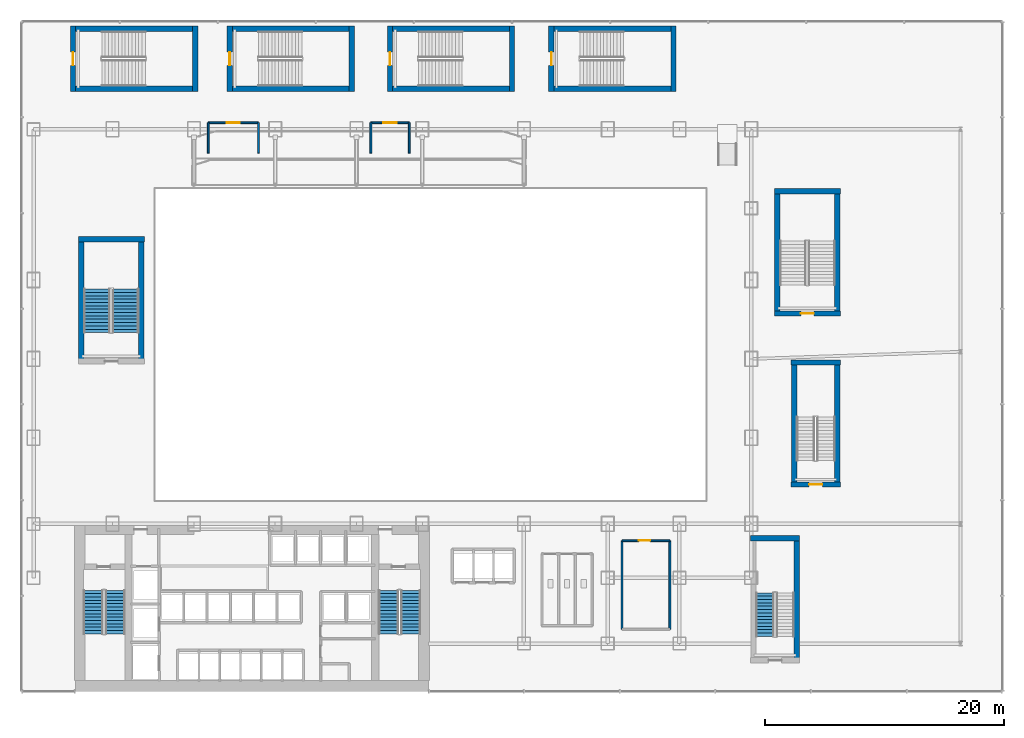
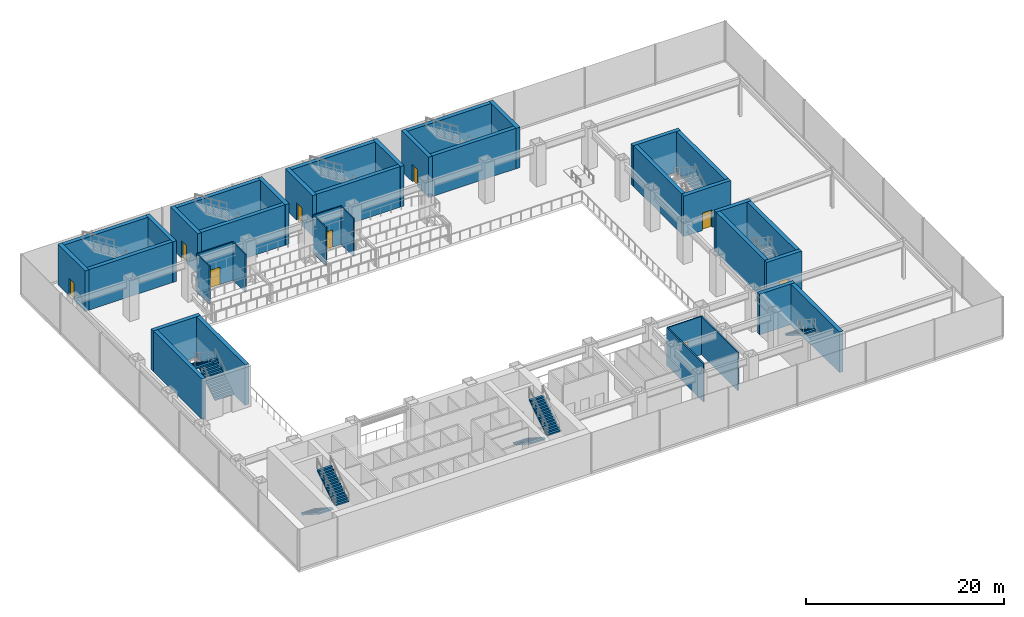
# One storey, part 30 of 39: 38 walls, 9 doors, 7 stair flights, 9 openings, 4 elements without a shape of their own.
"""IFC4 building model written with IfcOpenShell, lengths in metres."""

from ifc_helpers import new_model, si_unit, derived_unit, direction, frame, frame_2d, origin, place, context, subcontext, project, spatial, polyline, rectangle, outline, extrude, source, transform, mapped, material, layer, layer_set, type_object, element, fill, aggregate, save


model = new_model("IFC4")

# Units and contexts
model_context = context("Model", 3, precision=1e-05, world=origin(), true_north=direction((0.0, 1.0)))
body_context = subcontext(model_context, "Body", "Model", "MODEL_VIEW")
ifc_project = project(units=[si_unit("LENGTHUNIT", "METRE"), si_unit("AREAUNIT", "SQUARE_METRE"), si_unit("VOLUMEUNIT", "CUBIC_METRE"), si_unit("PLANEANGLEUNIT", "RADIAN"), si_unit("MASSUNIT", "GRAM", prefix="KILO"), derived_unit("THERMALTRANSMITTANCEUNIT", [(si_unit("POWERUNIT", "WATT"), 1), (si_unit("LENGTHUNIT", "METRE"), -2), (si_unit("THERMODYNAMICTEMPERATUREUNIT", "KELVIN"), -1)])], contexts=[model_context])

# Site, building, storey
site_placement = place(None, origin())
site = spatial("IfcSite", under=ifc_project, at=site_placement, CompositionType="ELEMENT")
building_placement = place(site_placement, origin())
building = spatial("IfcBuilding", under=site, at=building_placement, Name="Skarnbrae Concourse Arena and Tower", CompositionType="ELEMENT")
storey_placement = place(building_placement, frame((0.0, 0.0, 16.0)))
storey = spatial("IfcBuildingStorey", under=building, at=storey_placement, Name="L03", CompositionType="ELEMENT", Elevation=16.0)

# Walls
ifc_material_1 = material(Name="Concrete 50 MPa (C50/60)", Category="concrete")
ifc_layer_1 = layer(ifc_material_1, 0.449951171875)
ifc_layer_set_1 = layer_set([ifc_layer_1], Name="Concrete 50 MPa (C50/60)")
wall_type_1 = type_object("IfcWallType", Name="WALL-CORE-450-C50", PredefinedType="SHEAR", material=ifc_layer_set_1)
shared_shape_1 = source(origin(), body_context, "Body", "SweptSolid", [
    extrude(rectangle(XDim=4.10009765625, YDim=0.449951171875, at=frame_2d((2.050048828125, 0.0))), origin(), (0.0, 0.0, 1.0), 5.0),
])
wall_1_placement = place(storey_placement, frame((60.949951171875, 12.804931640625, 0.0), z_axis=(0.0, 0.0, 1.0), x_axis=(1.0, 0.0, 0.0)))
element("IfcWall", 1, at=wall_1_placement, inside=storey, type_object=wall_type_1, Name="L03 Protected stair shaft wall ST-A1-N", PredefinedType="SHEAR", context=body_context, shape_type="MappedRepresentation", body=[
    mapped(shared_shape_1, transform((0.0, 0.0, 0.0))),
])
shared_shape_2 = source(origin(), body_context, "Body", "SweptSolid", [
    extrude(rectangle(XDim=9.800048828125, YDim=0.449951171875, at=frame_2d((4.89990234375, 0.0))), origin(), (0.0, 0.0, 1.0), 5.0),
])
for number, where, z_axis, x_axis, name in (
    (2, (64.804931640625, 2.800048828125, 0.0), (0.0, 0.0, 1.0), (0.0, 1.0, 0.0), "L03 Protected stair shaft wall ST-A1-E"),
    (3, (64.594970703125, 17.5, 0.0), (0.0, 0.0, 1.0), (0.0, 1.0, 0.0), "L03 Protected stair shaft wall ST-A2-W"),
    (4, (68.205078125, 17.5, 0.0), (0.0, 0.0, 1.0), (0.0, 1.0, 0.0), "L03 Protected stair shaft wall ST-A2-E"),
    (5, (4.9951171875, 27.800048828125, 0.0), (0.0, 0.0, 1.0), (0.0, 1.0, 0.0), "L03 Protected stair shaft wall ST-A3-W"),
    (6, (10.0048828125, 27.800048828125, 0.0), (0.0, 0.0, 1.0), (0.0, 1.0, 0.0), "L03 Protected stair shaft wall ST-A3-E"),
    (7, (63.195068359375, 31.800048828125, 0.0), (0.0, 0.0, 1.0), (0.0, 1.0, 0.0), "L03 Protected stair shaft wall ST-A4-W"),
    (8, (68.205078125, 31.800048828125, 0.0), (0.0, 0.0, 1.0), (0.0, 1.0, 0.0), "L03 Protected stair shaft wall ST-A4-E"),
    (9, (4.5, 50.39501953125, 0.0), (0.0, 0.0, 1.0), (1.0, 0.0, 0.0), "L03 Protected stair shaft wall ST-A5-S"),
    (10, (4.5, 55.405029296875, 0.0), (0.0, 0.0, 1.0), (1.0, 0.0, 0.0), "L03 Protected stair shaft wall ST-A5-N"),
    (11, (31.0, 50.39501953125, 0.0), (0.0, 0.0, 1.0), (1.0, 0.0, 0.0), "L03 Protected stair shaft wall ST-A7-S"),
    (12, (31.0, 55.405029296875, 0.0), (0.0, 0.0, 1.0), (1.0, 0.0, 0.0), "L03 Protected stair shaft wall ST-A7-N"),
    (13, (44.5, 50.39501953125, 0.0), (0.0, 0.0, 1.0), (1.0, 0.0, 0.0), "L03 Protected stair shaft wall ST-A8-S"),
    (14, (44.5, 55.405029296875, 0.0), (0.0, 0.0, 1.0), (1.0, 0.0, 0.0), "L03 Protected stair shaft wall ST-A8-N"),
):
    element("IfcWall", number, at=place(storey_placement, frame(where, z_axis=z_axis, x_axis=x_axis)), inside=storey, type_object=wall_type_1, Name=name, PredefinedType="SHEAR", context=body_context, shape_type="MappedRepresentation", body=[
        mapped(shared_shape_2, transform((0.0, 0.0, 0.0))),
    ])

# Wall, opening, door
shared_shape_3 = source(origin(), body_context, "Body", "SweptSolid", [
    extrude(rectangle(XDim=4.099853515625, YDim=0.449951171875, at=frame_2d((2.0498046875, 0.0))), origin(), (0.0, 0.0, 1.0), 5.0),
])
wall_2_placement = place(storey_placement, frame((64.35009765625, 17.294921875, 0.0), z_axis=(0.0, 0.0, 1.0), x_axis=(1.0, 0.0, 0.0)))
wall_2 = element("IfcWall", 15, at=wall_2_placement, inside=storey, type_object=wall_type_1, Name="L03 Protected stair shaft wall ST-A2-S", PredefinedType="SHEAR", context=body_context, shape_type="MappedRepresentation", body=[
    mapped(shared_shape_3, transform((0.0, 0.0, 0.0))),
])
opening_1_placement = place(wall_2_placement, frame((1.5, 0.0, 0.0)))
opening_1 = element("IfcOpeningElement", 16, at=opening_1_placement, cuts=wall_2, Name="Opening DT-03", PredefinedType="OPENING", context=body_context, shape_type="SweptSolid", body=[
    extrude(rectangle(XDim=1.10009765625, YDim=2.14990234375, at=frame_2d((0.550048828125, 1.074951171875))), frame((0.0, 0.23486328125, 0.0), z_axis=(0.0, -1.0, 0.0), x_axis=(1.0, 0.0, 0.0)), (0.0, 0.0, 1.0), 0.469970703125),
])
ifc_material_2 = material(Name="Steel CSA G40.21 350W", Category="steel")
door_type_1 = type_object("IfcDoorType", Name="DOOR-FIRE-1100-90M", OperationType="NOTDEFINED", PredefinedType="DOOR", material=ifc_material_2)
shared_shape_4 = source(origin(), body_context, "Body", "SweptSolid", [
    extrude(rectangle(XDim=1.10009765625, YDim=2.14990234375, at=frame_2d((0.550048828125, 1.074951171875))), frame((0.0, 0.02490234375, 0.0), z_axis=(0.0, -1.0, 0.0), x_axis=(1.0, 0.0, 0.0)), (0.0, 0.0, 1.0), 0.050048828125),
])
door_1_placement = place(opening_1_placement, origin())
door_1 = element("IfcDoor", 17, at=door_1_placement, inside=storey, type_object=door_type_1, Name="D-0274 Exit Stair ST-A2 Door", OperationType="SINGLE_SWING_RIGHT", OverallHeight=2.14990234375, OverallWidth=1.10009765625, PredefinedType="DOOR", context=body_context, shape_type="MappedRepresentation", body=[
    mapped(shared_shape_4, transform((0.0, 0.0, 0.0))),
])
fill(opening_1, door_1)

# Walls
wall_3_placement = place(storey_placement, frame((64.35009765625, 27.5048828125, 0.0), z_axis=(0.0, 0.0, 1.0), x_axis=(1.0, 0.0, 0.0)))
element("IfcWall", 18, at=wall_3_placement, inside=storey, type_object=wall_type_1, Name="L03 Protected stair shaft wall ST-A2-N", PredefinedType="SHEAR", context=body_context, shape_type="MappedRepresentation", body=[
    mapped(shared_shape_3, transform((0.0, 0.0, 0.0))),
])
shared_shape_5 = source(origin(), body_context, "Body", "SweptSolid", [
    extrude(rectangle(XDim=5.5, YDim=0.449951171875, at=frame_2d((2.75, 0.0))), origin(), (0.0, 0.0, 1.0), 5.0),
])
wall_4_placement = place(storey_placement, frame((4.75, 37.804931640625, 0.0), z_axis=(0.0, 0.0, 1.0), x_axis=(1.0, 0.0, 0.0)))
element("IfcWall", 19, at=wall_4_placement, inside=storey, type_object=wall_type_1, Name="L03 Protected stair shaft wall ST-A3-N", PredefinedType="SHEAR", context=body_context, shape_type="MappedRepresentation", body=[
    mapped(shared_shape_5, transform((0.0, 0.0, 0.0))),
])

# Wall, opening, door
wall_5_placement = place(storey_placement, frame((62.949951171875, 31.594970703125, 0.0), z_axis=(0.0, 0.0, 1.0), x_axis=(1.0, 0.0, 0.0)))
wall_5 = element("IfcWall", 20, at=wall_5_placement, inside=storey, type_object=wall_type_1, Name="L03 Protected stair shaft wall ST-A4-S", PredefinedType="SHEAR", context=body_context, shape_type="MappedRepresentation", body=[
    mapped(shared_shape_5, transform((0.0, 0.0, 0.0))),
])
opening_2_placement = place(wall_5_placement, frame((2.199951171875, 0.0, 0.0)))
opening_2 = element("IfcOpeningElement", 21, at=opening_2_placement, cuts=wall_5, Name="Opening DT-03", PredefinedType="OPENING", context=body_context, shape_type="SweptSolid", body=[
    extrude(rectangle(XDim=1.10009765625, YDim=2.14990234375, at=frame_2d((0.550048828125, 1.074951171875))), frame((0.0, 0.23486328125, 0.0), z_axis=(0.0, -1.0, 0.0), x_axis=(1.0, 0.0, 0.0)), (0.0, 0.0, 1.0), 0.469970703125),
])
door_2_placement = place(opening_2_placement, origin())
door_2 = element("IfcDoor", 22, at=door_2_placement, inside=storey, type_object=door_type_1, Name="D-0276 Exit Stair ST-A4 Door", OperationType="SINGLE_SWING_RIGHT", OverallHeight=2.14990234375, OverallWidth=1.10009765625, PredefinedType="DOOR", context=body_context, shape_type="MappedRepresentation", body=[
    mapped(shared_shape_4, transform((0.0, 0.0, 0.0))),
])
fill(opening_2, door_2)

# Wall
wall_6_placement = place(storey_placement, frame((62.949951171875, 41.804931640625, 0.0), z_axis=(0.0, 0.0, 1.0), x_axis=(1.0, 0.0, 0.0)))
element("IfcWall", 23, at=wall_6_placement, inside=storey, type_object=wall_type_1, Name="L03 Protected stair shaft wall ST-A4-N", PredefinedType="SHEAR", context=body_context, shape_type="MappedRepresentation", body=[
    mapped(shared_shape_5, transform((0.0, 0.0, 0.0))),
])

# Wall, opening, door
wall_7_placement = place(storey_placement, frame((4.294921875, 50.14990234375, 0.0), z_axis=(0.0, 0.0, 1.0), x_axis=(0.0, 1.0, 0.0)))
wall_7 = element("IfcWall", 24, at=wall_7_placement, inside=storey, type_object=wall_type_1, Name="L03 Protected stair shaft wall ST-A5-W", PredefinedType="SHEAR", context=body_context, shape_type="MappedRepresentation", body=[
    mapped(shared_shape_5, transform((0.0, 0.0, 0.0))),
])
opening_3_placement = place(wall_7_placement, frame((2.199951171875, 0.0, 0.0)))
opening_3 = element("IfcOpeningElement", 25, at=opening_3_placement, cuts=wall_7, Name="Opening DT-03", PredefinedType="OPENING", context=body_context, shape_type="SweptSolid", body=[
    extrude(rectangle(XDim=1.10009765625, YDim=2.14990234375, at=frame_2d((0.550048828125, 1.074951171875))), frame((0.0, 0.23486328125, 0.0), z_axis=(0.0, -1.0, 0.0), x_axis=(1.0, 0.0, 0.0)), (0.0, 0.0, 1.0), 0.469970703125),
])
door_3_placement = place(opening_3_placement, frame((1.10009765625, 0.0, 0.0), z_axis=(0.0, 0.0, 1.0), x_axis=(-1.0, 0.0, 0.0)))
door_3 = element("IfcDoor", 26, at=door_3_placement, inside=storey, type_object=door_type_1, Name="D-0277 Exit Stair ST-A5 Door", OperationType="SINGLE_SWING_RIGHT", OverallHeight=2.14990234375, OverallWidth=1.10009765625, PredefinedType="DOOR", context=body_context, shape_type="MappedRepresentation", body=[
    mapped(shared_shape_4, transform((0.0, 0.0, 0.0))),
])
fill(opening_3, door_3)

# Wall
wall_8_placement = place(storey_placement, frame((14.5048828125, 50.14990234375, 0.0), z_axis=(0.0, 0.0, 1.0), x_axis=(0.0, 1.0, 0.0)))
element("IfcWall", 27, at=wall_8_placement, inside=storey, type_object=wall_type_1, Name="L03 Protected stair shaft wall ST-A5-E", PredefinedType="SHEAR", context=body_context, shape_type="MappedRepresentation", body=[
    mapped(shared_shape_5, transform((0.0, 0.0, 0.0))),
])

# Wall, opening, door
wall_9_placement = place(storey_placement, frame((17.39501953125, 50.14990234375, 0.0), z_axis=(0.0, 0.0, 1.0), x_axis=(0.0, 1.0, 0.0)))
wall_9 = element("IfcWall", 28, at=wall_9_placement, inside=storey, type_object=wall_type_1, Name="L03 Protected stair shaft wall ST-A6-W", PredefinedType="SHEAR", context=body_context, shape_type="MappedRepresentation", body=[
    mapped(shared_shape_5, transform((0.0, 0.0, 0.0))),
])
opening_4_placement = place(wall_9_placement, frame((2.199951171875, 0.0, 0.0)))
opening_4 = element("IfcOpeningElement", 29, at=opening_4_placement, cuts=wall_9, Name="Opening DT-03", PredefinedType="OPENING", context=body_context, shape_type="SweptSolid", body=[
    extrude(rectangle(XDim=1.10009765625, YDim=2.14990234375, at=frame_2d((0.550048828125, 1.074951171875))), frame((0.0, 0.23486328125, 0.0), z_axis=(0.0, -1.0, 0.0), x_axis=(1.0, 0.0, 0.0)), (0.0, 0.0, 1.0), 0.469970703125),
])
door_4_placement = place(opening_4_placement, frame((1.10009765625, 0.0, 0.0), z_axis=(0.0, 0.0, 1.0), x_axis=(-1.0, 0.0, 0.0)))
door_4 = element("IfcDoor", 30, at=door_4_placement, inside=storey, type_object=door_type_1, Name="D-0278 Exit Stair ST-A6 Door", OperationType="SINGLE_SWING_RIGHT", OverallHeight=2.14990234375, OverallWidth=1.10009765625, PredefinedType="DOOR", context=body_context, shape_type="MappedRepresentation", body=[
    mapped(shared_shape_4, transform((0.0, 0.0, 0.0))),
])
fill(opening_4, door_4)

# Wall
wall_10_placement = place(storey_placement, frame((27.60498046875, 50.14990234375, 0.0), z_axis=(0.0, 0.0, 1.0), x_axis=(0.0, 1.0, 0.0)))
element("IfcWall", 31, at=wall_10_placement, inside=storey, type_object=wall_type_1, Name="L03 Protected stair shaft wall ST-A6-E", PredefinedType="SHEAR", context=body_context, shape_type="MappedRepresentation", body=[
    mapped(shared_shape_5, transform((0.0, 0.0, 0.0))),
])

# Wall, opening, door
wall_11_placement = place(storey_placement, frame((30.794921875, 50.14990234375, 0.0), z_axis=(0.0, 0.0, 1.0), x_axis=(0.0, 1.0, 0.0)))
wall_11 = element("IfcWall", 32, at=wall_11_placement, inside=storey, type_object=wall_type_1, Name="L03 Protected stair shaft wall ST-A7-W", PredefinedType="SHEAR", context=body_context, shape_type="MappedRepresentation", body=[
    mapped(shared_shape_5, transform((0.0, 0.0, 0.0))),
])
opening_5_placement = place(wall_11_placement, frame((2.199951171875, 0.0, 0.0)))
opening_5 = element("IfcOpeningElement", 33, at=opening_5_placement, cuts=wall_11, Name="Opening DT-03", PredefinedType="OPENING", context=body_context, shape_type="SweptSolid", body=[
    extrude(rectangle(XDim=1.10009765625, YDim=2.14990234375, at=frame_2d((0.550048828125, 1.074951171875))), frame((0.0, 0.23486328125, 0.0), z_axis=(0.0, -1.0, 0.0), x_axis=(1.0, 0.0, 0.0)), (0.0, 0.0, 1.0), 0.469970703125),
])
door_5_placement = place(opening_5_placement, frame((1.10009765625, 0.0, 0.0), z_axis=(0.0, 0.0, 1.0), x_axis=(-1.0, 0.0, 0.0)))
door_5 = element("IfcDoor", 34, at=door_5_placement, inside=storey, type_object=door_type_1, Name="D-0279 Exit Stair ST-A7 Door", OperationType="SINGLE_SWING_RIGHT", OverallHeight=2.14990234375, OverallWidth=1.10009765625, PredefinedType="DOOR", context=body_context, shape_type="MappedRepresentation", body=[
    mapped(shared_shape_4, transform((0.0, 0.0, 0.0))),
])
fill(opening_5, door_5)

# Wall
wall_12_placement = place(storey_placement, frame((41.0048828125, 50.14990234375, 0.0), z_axis=(0.0, 0.0, 1.0), x_axis=(0.0, 1.0, 0.0)))
element("IfcWall", 35, at=wall_12_placement, inside=storey, type_object=wall_type_1, Name="L03 Protected stair shaft wall ST-A7-E", PredefinedType="SHEAR", context=body_context, shape_type="MappedRepresentation", body=[
    mapped(shared_shape_5, transform((0.0, 0.0, 0.0))),
])

# Wall, opening, door
wall_13_placement = place(storey_placement, frame((44.294921875, 50.14990234375, 0.0), z_axis=(0.0, 0.0, 1.0), x_axis=(0.0, 1.0, 0.0)))
wall_13 = element("IfcWall", 36, at=wall_13_placement, inside=storey, type_object=wall_type_1, Name="L03 Protected stair shaft wall ST-A8-W", PredefinedType="SHEAR", context=body_context, shape_type="MappedRepresentation", body=[
    mapped(shared_shape_5, transform((0.0, 0.0, 0.0))),
])
opening_6_placement = place(wall_13_placement, frame((2.199951171875, 0.0, 0.0)))
opening_6 = element("IfcOpeningElement", 37, at=opening_6_placement, cuts=wall_13, Name="Opening DT-03", PredefinedType="OPENING", context=body_context, shape_type="SweptSolid", body=[
    extrude(rectangle(XDim=1.10009765625, YDim=2.14990234375, at=frame_2d((0.550048828125, 1.074951171875))), frame((0.0, 0.23486328125, 0.0), z_axis=(0.0, -1.0, 0.0), x_axis=(1.0, 0.0, 0.0)), (0.0, 0.0, 1.0), 0.469970703125),
])
door_6_placement = place(opening_6_placement, frame((1.10009765625, 0.0, 0.0), z_axis=(0.0, 0.0, 1.0), x_axis=(-1.0, 0.0, 0.0)))
door_6 = element("IfcDoor", 38, at=door_6_placement, inside=storey, type_object=door_type_1, Name="D-0280 Exit Stair ST-A8 Door", OperationType="SINGLE_SWING_RIGHT", OverallHeight=2.14990234375, OverallWidth=1.10009765625, PredefinedType="DOOR", context=body_context, shape_type="MappedRepresentation", body=[
    mapped(shared_shape_4, transform((0.0, 0.0, 0.0))),
])
fill(opening_6, door_6)

# Walls
wall_14_placement = place(storey_placement, frame((54.5048828125, 50.14990234375, 0.0), z_axis=(0.0, 0.0, 1.0), x_axis=(0.0, 1.0, 0.0)))
element("IfcWall", 39, at=wall_14_placement, inside=storey, type_object=wall_type_1, Name="L03 Protected stair shaft wall ST-A8-E", PredefinedType="SHEAR", context=body_context, shape_type="MappedRepresentation", body=[
    mapped(shared_shape_5, transform((0.0, 0.0, 0.0))),
])
shared_shape_6 = source(origin(), body_context, "Body", "SweptSolid", [
    extrude(rectangle(XDim=9.7998046875, YDim=0.449951171875, at=frame_2d((4.89990234375, 0.0))), origin(), (0.0, 0.0, 1.0), 5.0),
])
for number, where, z_axis, x_axis, name in (
    (40, (17.60009765625, 50.39501953125, 0.0), (0.0, 0.0, 1.0), (1.0, 0.0, 0.0), "L03 Protected stair shaft wall ST-A6-S"),
    (41, (17.60009765625, 55.405029296875, 0.0), (0.0, 0.0, 1.0), (1.0, 0.0, 0.0), "L03 Protected stair shaft wall ST-A6-N"),
):
    element("IfcWall", number, at=place(storey_placement, frame(where, z_axis=z_axis, x_axis=x_axis)), inside=storey, type_object=wall_type_1, Name=name, PredefinedType="SHEAR", context=body_context, shape_type="MappedRepresentation", body=[
        mapped(shared_shape_6, transform((0.0, 0.0, 0.0))),
    ])

# Wall, opening, door
ifc_material_3 = material(Name="Gypsum board on cold-formed steel studs", Category="steel")
ifc_layer_2 = layer(ifc_material_3, 0.14990234375)
ifc_layer_set_2 = layer_set([ifc_layer_2], Name="Gypsum board on cold-formed steel studs")
wall_type_2 = type_object("IfcWallType", Name="WALL-PART-150-1HR", PredefinedType="PARTITIONING", material=ifc_layer_set_2)
shared_shape_7 = source(origin(), body_context, "Body", "SweptSolid", [
    extrude(rectangle(XDim=4.199951171875, YDim=0.14990234375, at=frame_2d((2.10009765625, 0.0))), origin(), (0.0, 0.0, 1.0), 4.699951171875),
])
wall_15_placement = place(storey_placement, frame((15.60009765625, 47.550048828125, 0.0), z_axis=(0.0, 0.0, 1.0), x_axis=(1.0, 0.0, 0.0)))
wall_15 = element("IfcWall", 42, at=wall_15_placement, inside=storey, type_object=wall_type_2, Name="L03 Interior partition wall W-L03-VM11-N", PredefinedType="PARTITIONING", context=body_context, shape_type="MappedRepresentation", body=[
    mapped(shared_shape_7, transform((0.0, 0.0, 0.0))),
])
opening_7_placement = place(wall_15_placement, frame((1.550048828125, 0.0, 0.0)))
opening_7 = element("IfcOpeningElement", 43, at=opening_7_placement, cuts=wall_15, Name="Opening DT-03", PredefinedType="OPENING", context=body_context, shape_type="SweptSolid", body=[
    extrude(rectangle(XDim=1.10009765625, YDim=2.14990234375, at=frame_2d((0.550048828125, 1.074951171875))), frame((0.0, 0.0849609375, 0.0), z_axis=(0.0, -1.0, 0.0), x_axis=(1.0, 0.0, 0.0)), (0.0, 0.0, 1.0), 0.169921875),
])
door_7_placement = place(opening_7_placement, frame((1.10009765625, 0.0, 0.0), z_axis=(0.0, 0.0, 1.0), x_axis=(-1.0, 0.0, 0.0)))
door_7 = element("IfcDoor", 44, at=door_7_placement, inside=storey, type_object=door_type_1, Name="D-0270 Arena Vomitory V-11 Concourse Door", OperationType="SINGLE_SWING_LEFT", OverallHeight=2.14990234375, OverallWidth=1.10009765625, PredefinedType="DOOR", context=body_context, shape_type="MappedRepresentation", body=[
    mapped(shared_shape_4, transform((0.0, 0.0, 0.0))),
])
fill(opening_7, door_7)

# Walls
shared_shape_8 = source(origin(), body_context, "Body", "SweptSolid", [
    extrude(rectangle(XDim=2.550048828125, YDim=0.14990234375, at=frame_2d((1.27490234375, 0.0))), origin(), (0.0, 0.0, 1.0), 4.699951171875),
])
for number, where, z_axis, x_axis, name in (
    (45, (15.60009765625, 45.0, 0.0), (0.0, 0.0, 1.0), (0.0, 1.0, 0.0), "L03 Interior partition wall W-L03-VM11-W"),
    (46, (19.800048828125, 45.0, 0.0), (0.0, 0.0, 1.0), (0.0, 1.0, 0.0), "L03 Interior partition wall W-L03-VM11-E"),
    (47, (29.199951171875, 45.0, 0.0), (0.0, 0.0, 1.0), (0.0, 1.0, 0.0), "L03 Interior partition wall W-L03-VM12-W"),
    (48, (32.39990234375, 45.0, 0.0), (0.0, 0.0, 1.0), (0.0, 1.0, 0.0), "L03 Interior partition wall W-L03-VM12-E"),
):
    element("IfcWall", number, at=place(storey_placement, frame(where, z_axis=z_axis, x_axis=x_axis)), inside=storey, type_object=wall_type_2, Name=name, PredefinedType="PARTITIONING", context=body_context, shape_type="MappedRepresentation", body=[
        mapped(shared_shape_8, transform((0.0, 0.0, 0.0))),
    ])

# Wall, opening, door
shared_shape_9 = source(origin(), body_context, "Body", "SweptSolid", [
    extrude(rectangle(XDim=3.199951171875, YDim=0.14990234375, at=frame_2d((1.60009765625, 0.0))), origin(), (0.0, 0.0, 1.0), 4.699951171875),
])
wall_16_placement = place(storey_placement, frame((29.199951171875, 47.550048828125, 0.0), z_axis=(0.0, 0.0, 1.0), x_axis=(1.0, 0.0, 0.0)))
wall_16 = element("IfcWall", 49, at=wall_16_placement, inside=storey, type_object=wall_type_2, Name="L03 Interior partition wall W-L03-VM12-N", PredefinedType="PARTITIONING", context=body_context, shape_type="MappedRepresentation", body=[
    mapped(shared_shape_9, transform((0.0, 0.0, 0.0))),
])
opening_8_placement = place(wall_16_placement, frame((1.050048828125, 0.0, 0.0)))
opening_8 = element("IfcOpeningElement", 50, at=opening_8_placement, cuts=wall_16, Name="Opening DT-03", PredefinedType="OPENING", context=body_context, shape_type="SweptSolid", body=[
    extrude(rectangle(XDim=1.10009765625, YDim=2.14990234375, at=frame_2d((0.550048828125, 1.074951171875))), frame((0.0, 0.0849609375, 0.0), z_axis=(0.0, -1.0, 0.0), x_axis=(1.0, 0.0, 0.0)), (0.0, 0.0, 1.0), 0.169921875),
])
door_8_placement = place(opening_8_placement, frame((1.10009765625, 0.0, 0.0), z_axis=(0.0, 0.0, 1.0), x_axis=(-1.0, 0.0, 0.0)))
door_8 = element("IfcDoor", 51, at=door_8_placement, inside=storey, type_object=door_type_1, Name="D-0271 Arena Vomitory V-12 Concourse Door", OperationType="SINGLE_SWING_LEFT", OverallHeight=2.14990234375, OverallWidth=1.10009765625, PredefinedType="DOOR", context=body_context, shape_type="MappedRepresentation", body=[
    mapped(shared_shape_4, transform((0.0, 0.0, 0.0))),
])
fill(opening_8, door_8)

shared_shape_10 = source(origin(), body_context, "Body", "SweptSolid", [
    extrude(rectangle(XDim=4.0, YDim=0.14990234375, at=frame_2d((2.0, 0.0))), origin(), (0.0, 0.0, 1.0), 4.699951171875),
])
wall_17_placement = place(storey_placement, frame((50.199951171875, 12.60009765625, 0.0), z_axis=(0.0, 0.0, 1.0), x_axis=(1.0, 0.0, 0.0)))
wall_17 = element("IfcWall", 52, at=wall_17_placement, inside=storey, type_object=wall_type_2, Name="L03 Interior partition wall W-L03-CAT-N", PredefinedType="PARTITIONING", context=body_context, shape_type="MappedRepresentation", body=[
    mapped(shared_shape_10, transform((0.0, 0.0, 0.0))),
])
opening_9_placement = place(wall_17_placement, frame((1.39990234375, 0.0, 0.0)))
opening_9 = element("IfcOpeningElement", 53, at=opening_9_placement, cuts=wall_17, Name="Opening DT-04", PredefinedType="OPENING", context=body_context, shape_type="SweptSolid", body=[
    extrude(rectangle(XDim=0.949951171875, YDim=2.14990234375, at=frame_2d((0.47509765625, 1.074951171875))), frame((0.0, 0.0849609375, 0.0), z_axis=(0.0, -1.0, 0.0), x_axis=(1.0, 0.0, 0.0)), (0.0, 0.0, 1.0), 0.169921875),
])
door_type_2 = type_object("IfcDoorType", Name="DOOR-INT-950-45M", OperationType="NOTDEFINED", PredefinedType="DOOR", material=ifc_material_2)
shared_shape_11 = source(origin(), body_context, "Body", "SweptSolid", [
    extrude(rectangle(XDim=0.949951171875, YDim=2.14990234375, at=frame_2d((0.47509765625, 1.074951171875))), frame((0.0, 0.02490234375, 0.0), z_axis=(0.0, -1.0, 0.0), x_axis=(1.0, 0.0, 0.0)), (0.0, 0.0, 1.0), 0.050048828125),
])
door_9_placement = place(opening_9_placement, frame((0.949951171875, 0.0, 0.0), z_axis=(0.0, 0.0, 1.0), x_axis=(-1.0, 0.0, 0.0)))
door_9 = element("IfcDoor", 54, at=door_9_placement, inside=storey, type_object=door_type_2, Name="D-0272 L03 Catering Suite Door", OperationType="SINGLE_SWING_LEFT", OverallHeight=2.14990234375, OverallWidth=0.949951171875, PredefinedType="DOOR", context=body_context, shape_type="MappedRepresentation", body=[
    mapped(shared_shape_11, transform((0.0, 0.0, 0.0))),
])
fill(opening_9, door_9)

# Walls
shared_shape_12 = source(origin(), body_context, "Body", "SweptSolid", [
    extrude(rectangle(XDim=7.400146484375, YDim=0.14990234375, at=frame_2d((3.7001953125, 0.0))), origin(), (0.0, 0.0, 1.0), 4.699951171875),
])
for number, where, z_axis, x_axis, name in (
    (55, (50.199951171875, 5.199951171875, 0.0), (0.0, 0.0, 1.0), (0.0, 1.0, 0.0), "L03 Interior partition wall W-L03-CAT-W"),
    (56, (54.199951171875, 5.199951171875, 0.0), (0.0, 0.0, 1.0), (0.0, 1.0, 0.0), "L03 Interior partition wall W-L03-CAT-E"),
):
    element("IfcWall", number, at=place(storey_placement, frame(where, z_axis=z_axis, x_axis=x_axis)), inside=storey, type_object=wall_type_2, Name=name, PredefinedType="PARTITIONING", context=body_context, shape_type="MappedRepresentation", body=[
        mapped(shared_shape_12, transform((0.0, 0.0, 0.0))),
    ])

# Stair, stair flights
ifc_material_4 = material(Name="Concrete 40 MPa (C40/50)", Category="concrete")
stair_type_1 = type_object("IfcStairType", Name="STAIR-DOGLEG-1650", PredefinedType="HALF_TURN_STAIR", material=ifc_material_4)
stair_1_placement = place(storey_placement, origin())
stair_1 = element("IfcStair", 57, at=stair_1_placement, inside=storey, type_object=stair_type_1, Name="L03 Protected Exit Stair ST-1", PredefinedType="HALF_TURN_STAIR")
stair_flight_type_1 = type_object("IfcStairFlightType", Name="FLIGHT-STRAIGHT-1650", PredefinedType="STRAIGHT", material=ifc_material_4)
shared_shape_13 = source(origin(), body_context, "Body", "SweptSolid", [
    extrude(outline(polyline([(0.0, 0.0), (0.0, 0.178466796875), (0.280029296875, 0.178466796875), (0.280029296875, 0.357177734375), (0.56005859375, 0.357177734375), (0.56005859375, 0.53564453125), (0.840087890625, 0.53564453125), (0.840087890625, 0.71435546875), (1.1201171875, 0.71435546875), (1.1201171875, 0.892822265625), (1.39990234375, 0.892822265625), (1.39990234375, 1.071533203125), (1.679931640625, 1.071533203125), (1.679931640625, 1.25), (1.9599609375, 1.25), (1.9599609375, 1.428466796875), (2.239990234375, 1.428466796875), (2.239990234375, 1.607177734375), (2.52001953125, 1.607177734375), (2.52001953125, 1.78564453125), (2.800048828125, 1.78564453125), (2.800048828125, 1.96435546875), (3.080078125, 1.96435546875), (3.080078125, 2.142822265625), (3.360107421875, 2.142822265625), (3.360107421875, 2.321533203125), (3.639892578125, 2.321533203125), (3.639892578125, 2.5), (3.639892578125, 2.1435546875), (0.27880859375, 0.0), (0.0, 0.0)])), frame((0.0, 0.824951171875, 0.0), z_axis=(0.0, -1.0, 0.0), x_axis=(1.0, 0.0, 0.0)), (0.0, 0.0, 1.0), 1.64990234375),
])
stair_flight_1_placement = place(storey_placement, frame((5.97509765625, 8.449951171875, 0.0), z_axis=(0.0, 0.0, 1.0), x_axis=(0.0, -1.0, 0.0)))
stair_flight_1 = element("IfcStairFlight", 58, at=stair_flight_1_placement, type_object=stair_flight_type_1, Name="ST-1 flight 1", NumberOfRisers=14, NumberOfTreads=13, PredefinedType="STRAIGHT", RiserHeight=0.178571429, TreadLength=0.28, context=body_context, shape_type="MappedRepresentation", body=[
    mapped(shared_shape_13, transform((0.0, 0.0, 0.0))),
])
stair_flight_2_placement = place(storey_placement, frame((7.824951171875, 4.81005859375, 2.5), z_axis=(0.0, 0.0, 1.0), x_axis=(0.0, 1.0, 0.0)))
stair_flight_2 = element("IfcStairFlight", 59, at=stair_flight_2_placement, type_object=stair_flight_type_1, Name="ST-1 flight 2", NumberOfRisers=14, NumberOfTreads=13, PredefinedType="STRAIGHT", RiserHeight=0.178571429, TreadLength=0.28, context=body_context, shape_type="MappedRepresentation", body=[
    mapped(shared_shape_13, transform((0.0, 0.0, 0.0))),
])
aggregate(stair_1, [stair_flight_1, stair_flight_2])

stair_2_placement = place(storey_placement, origin())
stair_2 = element("IfcStair", 60, at=stair_2_placement, inside=storey, type_object=stair_type_1, Name="L03 Protected Exit Stair ST-2", PredefinedType="HALF_TURN_STAIR")
stair_flight_3_placement = place(storey_placement, frame((30.675048828125, 8.449951171875, 0.0), z_axis=(0.0, 0.0, 1.0), x_axis=(0.0, -1.0, 0.0)))
stair_flight_3 = element("IfcStairFlight", 61, at=stair_flight_3_placement, type_object=stair_flight_type_1, Name="ST-2 flight 1", NumberOfRisers=14, NumberOfTreads=13, PredefinedType="STRAIGHT", RiserHeight=0.178571429, TreadLength=0.28, context=body_context, shape_type="MappedRepresentation", body=[
    mapped(shared_shape_13, transform((0.0, 0.0, 0.0))),
])
stair_flight_4_placement = place(storey_placement, frame((32.52490234375, 4.81005859375, 2.5), z_axis=(0.0, 0.0, 1.0), x_axis=(0.0, 1.0, 0.0)))
stair_flight_4 = element("IfcStairFlight", 62, at=stair_flight_4_placement, type_object=stair_flight_type_1, Name="ST-2 flight 2", NumberOfRisers=14, NumberOfTreads=13, PredefinedType="STRAIGHT", RiserHeight=0.178571429, TreadLength=0.28, context=body_context, shape_type="MappedRepresentation", body=[
    mapped(shared_shape_13, transform((0.0, 0.0, 0.0))),
])
aggregate(stair_2, [stair_flight_3, stair_flight_4])

# Stair, stair flight
stair_type_2 = type_object("IfcStairType", Name="STAIR-DOGLEG-1500", PredefinedType="HALF_TURN_STAIR", material=ifc_material_4)
stair_3_placement = place(storey_placement, origin())
stair_3 = element("IfcStair", 63, at=stair_3_placement, inside=storey, type_object=stair_type_2, Name="L03 Arena Exit Stair ST-A1", PredefinedType="HALF_TURN_STAIR")
stair_flight_type_2 = type_object("IfcStairFlightType", Name="FLIGHT-STRAIGHT-1500", PredefinedType="STRAIGHT", material=ifc_material_4)
shared_shape_14 = source(origin(), body_context, "Body", "SweptSolid", [
    extrude(outline(polyline([(0.0, 0.0), (0.0, 0.178466796875), (0.280029296875, 0.178466796875), (0.280029296875, 0.357177734375), (0.56005859375, 0.357177734375), (0.56005859375, 0.53564453125), (0.840087890625, 0.53564453125), (0.840087890625, 0.71435546875), (1.1201171875, 0.71435546875), (1.1201171875, 0.892822265625), (1.39990234375, 0.892822265625), (1.39990234375, 1.071533203125), (1.679931640625, 1.071533203125), (1.679931640625, 1.25), (1.9599609375, 1.25), (1.9599609375, 1.428466796875), (2.239990234375, 1.428466796875), (2.239990234375, 1.607177734375), (2.52001953125, 1.607177734375), (2.52001953125, 1.78564453125), (2.800048828125, 1.78564453125), (2.800048828125, 1.96435546875), (3.080078125, 1.96435546875), (3.080078125, 2.142822265625), (3.360107421875, 2.142822265625), (3.360107421875, 2.321533203125), (3.639892578125, 2.321533203125), (3.639892578125, 2.5), (3.639892578125, 2.1435546875), (0.27880859375, 0.0), (0.0, 0.0)])), frame((0.0, 0.75, 0.0), z_axis=(0.0, -1.0, 0.0), x_axis=(1.0, 0.0, 0.0)), (0.0, 0.0, 1.0), 1.5),
])
stair_flight_5_placement = place(storey_placement, frame((62.14990234375, 8.239990234375, 2.5), z_axis=(0.0, 0.0, 1.0), x_axis=(0.0, -1.0, 0.0)))
stair_flight_5 = element("IfcStairFlight", 64, at=stair_flight_5_placement, type_object=stair_flight_type_2, Name="ST-A1 flight 2", NumberOfRisers=14, NumberOfTreads=13, PredefinedType="STRAIGHT", RiserHeight=0.178571429, TreadLength=0.28, context=body_context, shape_type="MappedRepresentation", body=[
    mapped(shared_shape_14, transform((0.0, 0.0, 0.0))),
])
aggregate(stair_3, [stair_flight_5])

# Stair, stair flights
stair_type_3 = type_object("IfcStairType", Name="STAIR-DOGLEG-2200", PredefinedType="HALF_TURN_STAIR", material=ifc_material_4)
stair_4_placement = place(storey_placement, origin())
stair_4 = element("IfcStair", 65, at=stair_4_placement, inside=storey, type_object=stair_type_3, Name="L03 Arena Exit Stair ST-A3", PredefinedType="HALF_TURN_STAIR")
stair_flight_type_3 = type_object("IfcStairFlightType", Name="FLIGHT-STRAIGHT-2200", PredefinedType="STRAIGHT", material=ifc_material_4)
shared_shape_15 = source(origin(), body_context, "Body", "SweptSolid", [
    extrude(outline(polyline([(0.0, 0.0), (0.0, 0.178466796875), (0.280029296875, 0.178466796875), (0.280029296875, 0.357177734375), (0.56005859375, 0.357177734375), (0.56005859375, 0.53564453125), (0.840087890625, 0.53564453125), (0.840087890625, 0.71435546875), (1.1201171875, 0.71435546875), (1.1201171875, 0.892822265625), (1.39990234375, 0.892822265625), (1.39990234375, 1.071533203125), (1.679931640625, 1.071533203125), (1.679931640625, 1.25), (1.9599609375, 1.25), (1.9599609375, 1.428466796875), (2.239990234375, 1.428466796875), (2.239990234375, 1.607177734375), (2.52001953125, 1.607177734375), (2.52001953125, 1.78564453125), (2.800048828125, 1.78564453125), (2.800048828125, 1.96435546875), (3.080078125, 1.96435546875), (3.080078125, 2.142822265625), (3.360107421875, 2.142822265625), (3.360107421875, 2.321533203125), (3.639892578125, 2.321533203125), (3.639892578125, 2.5), (3.639892578125, 2.1435546875), (0.27880859375, 0.0), (0.0, 0.0)])), frame((0.0, 1.10009765625, 0.0), z_axis=(0.0, -1.0, 0.0), x_axis=(1.0, 0.0, 0.0)), (0.0, 0.0, 1.0), 2.199951171875),
])
stair_flight_6_placement = place(storey_placement, frame((8.699951171875, 30.0, 0.0), z_axis=(0.0, 0.0, 1.0), x_axis=(0.0, 1.0, 0.0)))
stair_flight_6 = element("IfcStairFlight", 66, at=stair_flight_6_placement, type_object=stair_flight_type_3, Name="ST-A3 flight 1", NumberOfRisers=14, NumberOfTreads=13, PredefinedType="STRAIGHT", RiserHeight=0.178571429, TreadLength=0.28, context=body_context, shape_type="MappedRepresentation", body=[
    mapped(shared_shape_15, transform((0.0, 0.0, 0.0))),
])
stair_flight_7_placement = place(storey_placement, frame((6.300048828125, 33.639892578125, 2.5), z_axis=(0.0, 0.0, 1.0), x_axis=(0.0, -1.0, 0.0)))
stair_flight_7 = element("IfcStairFlight", 67, at=stair_flight_7_placement, type_object=stair_flight_type_3, Name="ST-A3 flight 2", NumberOfRisers=14, NumberOfTreads=13, PredefinedType="STRAIGHT", RiserHeight=0.178571429, TreadLength=0.28, context=body_context, shape_type="MappedRepresentation", body=[
    mapped(shared_shape_15, transform((0.0, 0.0, 0.0))),
])
aggregate(stair_4, [stair_flight_6, stair_flight_7])

save(model, "model.ifc")
